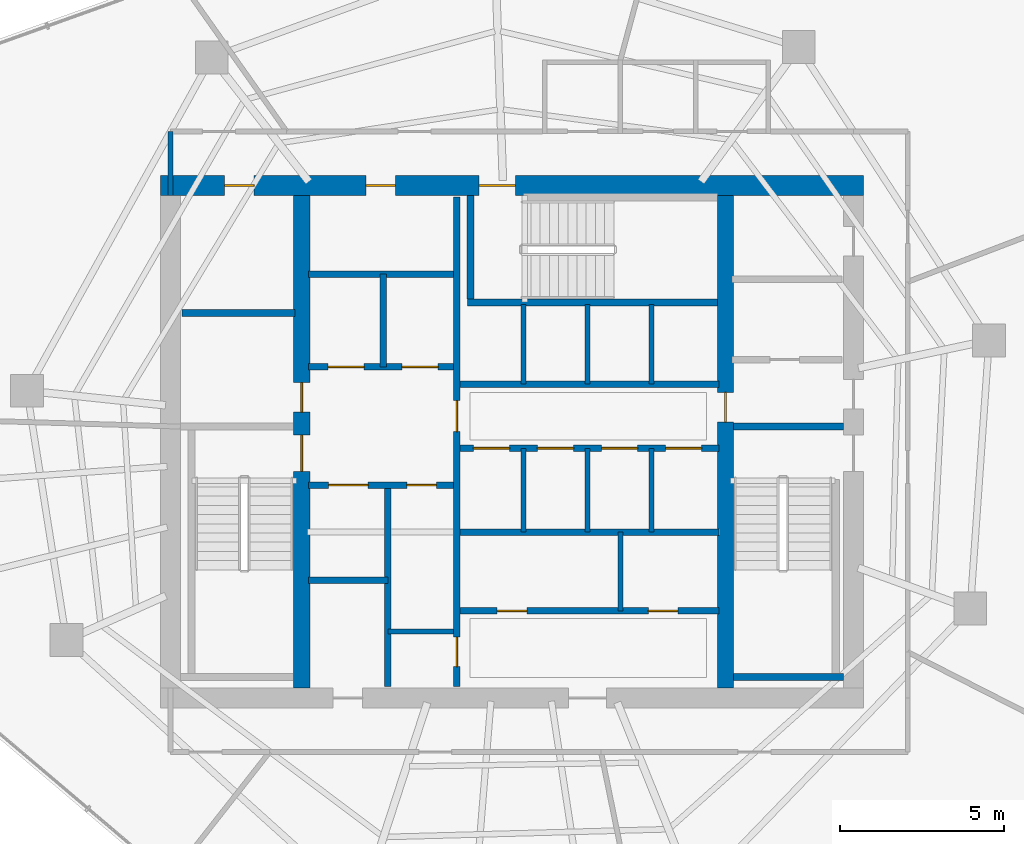
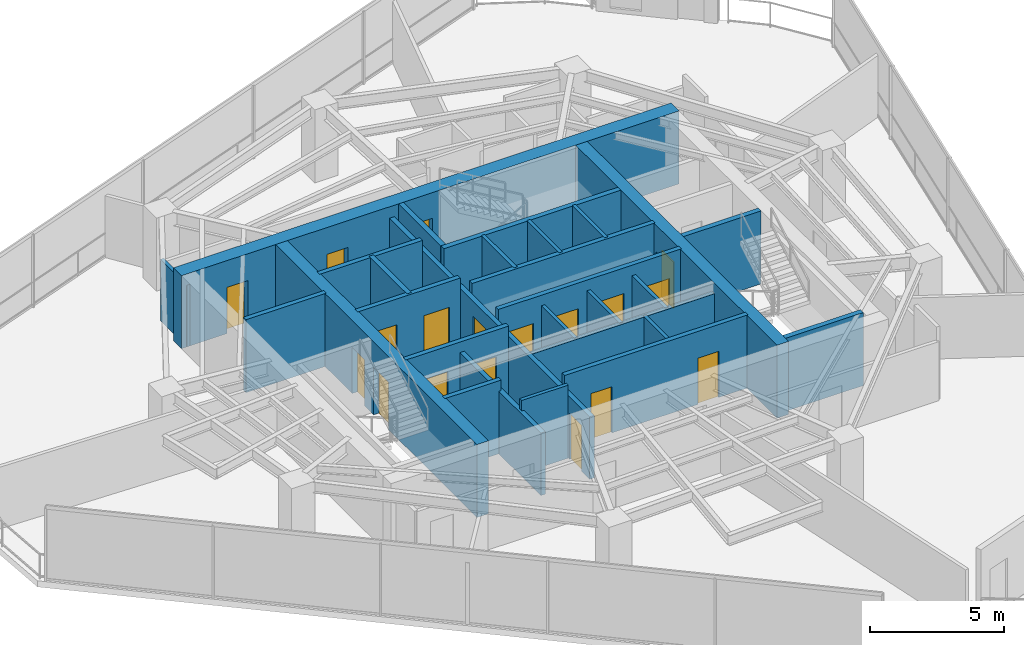
# One storey, part 17 of 21: 28 walls, 18 doors, 18 openings.
"""IFC4 building model written with IfcOpenShell, lengths in metres."""

from ifc_helpers import new_model, si_unit, direction, frame, frame_2d, origin, place, context, subcontext, project, spatial, rectangle, extrude, material, layer, layer_set, type_object, element, fill, save


model = new_model("IFC4")

# Units and contexts
model_context = context("Model", 3, precision=1e-05, world=origin(), true_north=direction((0.0, 1.0)))
body_context = subcontext(model_context, "Body", "Model", "MODEL_VIEW")
ifc_project = project(units=[si_unit("LENGTHUNIT", "METRE"), si_unit("AREAUNIT", "SQUARE_METRE"), si_unit("VOLUMEUNIT", "CUBIC_METRE"), si_unit("PLANEANGLEUNIT", "RADIAN"), si_unit("MASSUNIT", "GRAM", prefix="KILO")], contexts=[model_context])

# Site, building, storey
site_placement = place(None, origin())
site = spatial("IfcSite", under=ifc_project, at=site_placement, CompositionType="ELEMENT")
building_placement = place(site_placement, origin())
building = spatial("IfcBuilding", under=site, at=building_placement, Name="Qarnah Convention Tower", CompositionType="ELEMENT")
storey_placement = place(building_placement, frame((0.0, 0.0, 140.10009765625)))
storey = spatial("IfcBuildingStorey", under=building, at=storey_placement, Name="L37", CompositionType="ELEMENT", Elevation=140.10009765625)

# Wall, openings, doors
ifc_material_1 = material(Name="Concrete C60/75", Category="concrete")
ifc_layer_1 = layer(ifc_material_1, 0.60009765625)
ifc_layer_set_1 = layer_set([ifc_layer_1], Name="Concrete C60/75")
wall_type_1 = type_object("IfcWallType", Name="WL-CORE-600", PredefinedType="SHEAR", material=ifc_layer_set_1)
wall_1_placement = place(storey_placement, frame((26.5, 34.199951171875, 0.0), z_axis=(0.0, 0.0, 1.0), x_axis=(1.0, 0.0, 0.0)))
wall_1 = element("IfcWall", 1, at=wall_1_placement, inside=storey, type_object=wall_type_1, Name="L37 core north shear wall", PredefinedType="SHEAR", context=body_context, shape_type="SweptSolid", body=[
    extrude(rectangle(XDim=21.39990234375, YDim=0.60009765625, at=frame_2d((10.699951171875, 0.0))), origin(), (0.0, 0.0, 1.0), 3.31982421875),
])
opening_1_placement = place(wall_1_placement, frame((9.699951171875, 0.0, 0.0)))
opening_1 = element("IfcOpeningElement", 2, at=opening_1_placement, cuts=wall_1, Name="Opening D-3703", PredefinedType="OPENING", context=body_context, shape_type="SweptSolid", body=[
    extrude(rectangle(XDim=1.10009765625, YDim=2.14990234375, at=frame_2d((0.550048828125, 1.074951171875))), frame((0.0, 0.31005859375, 0.0), z_axis=(0.0, -1.0, 0.0), x_axis=(1.0, 0.0, 0.0)), (0.0, 0.0, 1.0), 0.6201171875),
])
opening_2_placement = place(wall_1_placement, frame((1.949951171875, 0.0, 0.0)))
opening_2 = element("IfcOpeningElement", 3, at=opening_2_placement, cuts=wall_1, Name="Opening D-3709", PredefinedType="OPENING", context=body_context, shape_type="SweptSolid", body=[
    extrude(rectangle(XDim=0.89990234375, YDim=2.10009765625, at=frame_2d((0.449951171875, 1.050048828125))), frame((0.0, 0.31005859375, 0.0), z_axis=(0.0, -1.0, 0.0), x_axis=(1.0, 0.0, 0.0)), (0.0, 0.0, 1.0), 0.6201171875),
])
opening_3_placement = place(wall_1_placement, frame((6.25, 0.0, 0.0)))
opening_3 = element("IfcOpeningElement", 4, at=opening_3_placement, cuts=wall_1, Name="Opening D-3710", PredefinedType="OPENING", context=body_context, shape_type="SweptSolid", body=[
    extrude(rectangle(XDim=0.89990234375, YDim=2.10009765625, at=frame_2d((0.449951171875, 1.050048828125))), frame((0.0, 0.31005859375, 0.0), z_axis=(0.0, -1.0, 0.0), x_axis=(1.0, 0.0, 0.0)), (0.0, 0.0, 1.0), 0.6201171875),
])
ifc_material_2 = material(Name="Structural steel S355JR", Category="steel")
door_type_1 = type_object("IfcDoorType", Name="DT-RISER-900", OperationType="NOTDEFINED", PredefinedType="DOOR", material=ifc_material_2)
door_1_placement = place(opening_2_placement, origin())
door_1 = element("IfcDoor", 5, at=door_1_placement, inside=storey, type_object=door_type_1, Name="Door D-3709", OperationType="SINGLE_SWING_LEFT", OverallHeight=2.10009765625, OverallWidth=0.89990234375, PredefinedType="DOOR", context=body_context, shape_type="SweptSolid", body=[
    extrude(rectangle(XDim=0.89990234375, YDim=2.10009765625, at=frame_2d((0.449951171875, 1.050048828125))), frame((0.0, 0.02490234375, 0.0), z_axis=(0.0, -1.0, 0.0), x_axis=(1.0, 0.0, 0.0)), (0.0, 0.0, 1.0), 0.050048828125),
])
fill(opening_2, door_1)
door_2_placement = place(opening_3_placement, origin())
door_2 = element("IfcDoor", 6, at=door_2_placement, inside=storey, type_object=door_type_1, Name="Door D-3710", OperationType="SINGLE_SWING_RIGHT", OverallHeight=2.10009765625, OverallWidth=0.89990234375, PredefinedType="DOOR", context=body_context, shape_type="SweptSolid", body=[
    extrude(rectangle(XDim=0.89990234375, YDim=2.10009765625, at=frame_2d((0.449951171875, 1.050048828125))), frame((0.0, 0.02490234375, 0.0), z_axis=(0.0, -1.0, 0.0), x_axis=(1.0, 0.0, 0.0)), (0.0, 0.0, 1.0), 0.050048828125),
])
fill(opening_3, door_2)
door_type_2 = type_object("IfcDoorType", Name="DT-STAIR-1100", OperationType="NOTDEFINED", PredefinedType="DOOR", material=ifc_material_2)
door_3_placement = place(opening_1_placement, origin())
door_3 = element("IfcDoor", 7, at=door_3_placement, inside=storey, type_object=door_type_2, Name="Door D-3703", OperationType="SINGLE_SWING_LEFT", OverallHeight=2.14990234375, OverallWidth=1.10009765625, PredefinedType="DOOR", context=body_context, shape_type="SweptSolid", body=[
    extrude(rectangle(XDim=1.10009765625, YDim=2.14990234375, at=frame_2d((0.550048828125, 1.074951171875))), frame((0.0, 0.02490234375, 0.0), z_axis=(0.0, -1.0, 0.0), x_axis=(1.0, 0.0, 0.0)), (0.0, 0.0, 1.0), 0.050048828125),
])
fill(opening_1, door_3)

ifc_layer_2 = layer(ifc_material_1, 0.5)
ifc_layer_set_2 = layer_set([ifc_layer_2], Name="Concrete C60/75")
wall_type_2 = type_object("IfcWallType", Name="WL-CORE-INT-400", PredefinedType="SHEAR", material=ifc_layer_set_2)
wall_2_placement = place(storey_placement, frame((30.800048828125, 18.89990234375, 0.0), z_axis=(0.0, 0.0, 1.0), x_axis=(0.0, 1.0, 0.0)))
wall_2 = element("IfcWall", 8, at=wall_2_placement, inside=storey, type_object=wall_type_2, Name="L37 core west spine shear wall", PredefinedType="SHEAR", context=body_context, shape_type="SweptSolid", body=[
    extrude(rectangle(XDim=15.0, YDim=0.5, at=frame_2d((7.5, 0.0))), origin(), (0.0, 0.0, 1.0), 3.31982421875),
])
opening_4_placement = place(wall_2_placement, frame((6.60009765625, 0.0, 0.0)))
opening_4 = element("IfcOpeningElement", 9, at=opening_4_placement, cuts=wall_2, Name="Opening D-3701", PredefinedType="OPENING", context=body_context, shape_type="SweptSolid", body=[
    extrude(rectangle(XDim=1.10009765625, YDim=2.14990234375, at=frame_2d((0.550048828125, 1.074951171875))), frame((0.0, 0.260009765625, 0.0), z_axis=(0.0, -1.0, 0.0), x_axis=(1.0, 0.0, 0.0)), (0.0, 0.0, 1.0), 0.52001953125),
])
opening_5_placement = place(wall_2_placement, frame((8.39990234375, 0.0, 0.0)))
opening_5 = element("IfcOpeningElement", 10, at=opening_5_placement, cuts=wall_2, Name="Opening D-3708", PredefinedType="OPENING", context=body_context, shape_type="SweptSolid", body=[
    extrude(rectangle(XDim=0.89990234375, YDim=2.10009765625, at=frame_2d((0.449951171875, 1.050048828125))), frame((0.0, 0.260009765625, 0.0), z_axis=(0.0, -1.0, 0.0), x_axis=(1.0, 0.0, 0.0)), (0.0, 0.0, 1.0), 0.52001953125),
])
door_4_placement = place(opening_5_placement, origin())
door_4 = element("IfcDoor", 11, at=door_4_placement, inside=storey, type_object=door_type_1, Name="Door D-3708", OperationType="SINGLE_SWING_RIGHT", OverallHeight=2.10009765625, OverallWidth=0.89990234375, PredefinedType="DOOR", context=body_context, shape_type="SweptSolid", body=[
    extrude(rectangle(XDim=0.89990234375, YDim=2.10009765625, at=frame_2d((0.449951171875, 1.050048828125))), frame((0.0, 0.02490234375, 0.0), z_axis=(0.0, -1.0, 0.0), x_axis=(1.0, 0.0, 0.0)), (0.0, 0.0, 1.0), 0.050048828125),
])
fill(opening_5, door_4)
door_5_placement = place(opening_4_placement, origin())
door_5 = element("IfcDoor", 12, at=door_5_placement, inside=storey, type_object=door_type_2, Name="Door D-3701", OperationType="SINGLE_SWING_LEFT", OverallHeight=2.14990234375, OverallWidth=1.10009765625, PredefinedType="DOOR", context=body_context, shape_type="SweptSolid", body=[
    extrude(rectangle(XDim=1.10009765625, YDim=2.14990234375, at=frame_2d((0.550048828125, 1.074951171875))), frame((0.0, 0.02490234375, 0.0), z_axis=(0.0, -1.0, 0.0), x_axis=(1.0, 0.0, 0.0)), (0.0, 0.0, 1.0), 0.050048828125),
])
fill(opening_4, door_5)

# Wall, opening, door
wall_3_placement = place(storey_placement, frame((43.699951171875, 18.89990234375, 0.0), z_axis=(0.0, 0.0, 1.0), x_axis=(0.0, 1.0, 0.0)))
wall_3 = element("IfcWall", 13, at=wall_3_placement, inside=storey, type_object=wall_type_2, Name="L37 core east spine shear wall", PredefinedType="SHEAR", context=body_context, shape_type="SweptSolid", body=[
    extrude(rectangle(XDim=15.0, YDim=0.5, at=frame_2d((7.5, 0.0))), origin(), (0.0, 0.0, 1.0), 3.31982421875),
])
opening_6_placement = place(wall_3_placement, frame((8.10009765625, 0.0, 0.0)))
opening_6 = element("IfcOpeningElement", 14, at=opening_6_placement, cuts=wall_3, Name="Opening D-3705", PredefinedType="OPENING", context=body_context, shape_type="SweptSolid", body=[
    extrude(rectangle(XDim=0.89990234375, YDim=2.10009765625, at=frame_2d((0.449951171875, 1.050048828125))), frame((0.0, 0.260009765625, 0.0), z_axis=(0.0, -1.0, 0.0), x_axis=(1.0, 0.0, 0.0)), (0.0, 0.0, 1.0), 0.52001953125),
])
door_6_placement = place(opening_6_placement, origin())
door_6 = element("IfcDoor", 15, at=door_6_placement, inside=storey, type_object=door_type_1, Name="Door D-3705", OperationType="SINGLE_SWING_LEFT", OverallHeight=2.10009765625, OverallWidth=0.89990234375, PredefinedType="DOOR", context=body_context, shape_type="SweptSolid", body=[
    extrude(rectangle(XDim=0.89990234375, YDim=2.10009765625, at=frame_2d((0.449951171875, 1.050048828125))), frame((0.0, 0.02490234375, 0.0), z_axis=(0.0, -1.0, 0.0), x_axis=(1.0, 0.0, 0.0)), (0.0, 0.0, 1.0), 0.050048828125),
])
fill(opening_6, door_6)

# Wall
ifc_material_3 = material(Name="Concrete C45/55", Category="concrete")
ifc_layer_3 = layer(ifc_material_3, 0.199951171875)
ifc_layer_set_3 = layer_set([ifc_layer_3], Name="Concrete C45/55")
wall_type_3 = type_object("IfcWallType", Name="WL-CORE-PART-200", PredefinedType="SOLIDWALL", material=ifc_layer_set_3)
wall_4_placement = place(storey_placement, frame((27.14990234375, 30.320068359375, 0.0), z_axis=(0.0, 0.0, 1.0), x_axis=(1.0, 0.0, 0.0)))
element("IfcWall", 16, at=wall_4_placement, inside=storey, type_object=wall_type_3, Name="L37 interior wall IW-L37-ELRN", PredefinedType="SOLIDWALL", context=body_context, shape_type="SweptSolid", body=[
    extrude(rectangle(XDim=3.4501953125, YDim=0.199951171875, at=frame_2d((1.72509765625, 0.0))), origin(), (0.0, 0.0, 1.0), 3.31982421875),
])

# Wall, openings, doors
wall_5_placement = place(storey_placement, frame((35.52001953125, 18.949951171875, 0.0), z_axis=(0.0, 0.0, 1.0), x_axis=(0.0, 1.0, 0.0)))
wall_5 = element("IfcWall", 17, at=wall_5_placement, inside=storey, type_object=wall_type_3, Name="L37 interior wall IW-L37-CSP", PredefinedType="SOLIDWALL", context=body_context, shape_type="SweptSolid", body=[
    extrude(rectangle(XDim=14.900146484375, YDim=0.199951171875, at=frame_2d((7.4501953125, 0.0))), origin(), (0.0, 0.0, 1.0), 2.8408203125),
])
opening_7_placement = place(wall_5_placement, frame((7.7548828125, 0.0, 0.0)))
opening_7 = element("IfcOpeningElement", 18, at=opening_7_placement, cuts=wall_5, Name="Opening D-3704", PredefinedType="OPENING", context=body_context, shape_type="SweptSolid", body=[
    extrude(rectangle(XDim=0.949951171875, YDim=2.14990234375, at=frame_2d((0.47509765625, 1.074951171875))), frame((0.0, 0.10986328125, 0.0), z_axis=(0.0, -1.0, 0.0), x_axis=(1.0, 0.0, 0.0)), (0.0, 0.0, 1.0), 0.219970703125),
])
opening_8_placement = place(wall_5_placement, frame((0.60009765625, 0.0, 0.0)))
opening_8 = element("IfcOpeningElement", 19, at=opening_8_placement, cuts=wall_5, Name="Opening D-3714", PredefinedType="OPENING", context=body_context, shape_type="SweptSolid", body=[
    extrude(rectangle(XDim=0.89990234375, YDim=2.10009765625, at=frame_2d((0.449951171875, 1.050048828125))), frame((0.0, 0.10986328125, 0.0), z_axis=(0.0, -1.0, 0.0), x_axis=(1.0, 0.0, 0.0)), (0.0, 0.0, 1.0), 0.219970703125),
])
ifc_material_4 = material(Name="Oak timber veneer", Category="wood")
door_type_3 = type_object("IfcDoorType", Name="DT-HOTEL-950", OperationType="NOTDEFINED", PredefinedType="DOOR", material=ifc_material_4)
door_7_placement = place(opening_7_placement, origin())
door_7 = element("IfcDoor", 20, at=door_7_placement, inside=storey, type_object=door_type_3, Name="Door D-3704", OperationType="SINGLE_SWING_RIGHT", OverallHeight=2.14990234375, OverallWidth=0.949951171875, PredefinedType="DOOR", context=body_context, shape_type="SweptSolid", body=[
    extrude(rectangle(XDim=0.949951171875, YDim=2.14990234375, at=frame_2d((0.47509765625, 1.074951171875))), frame((0.0, 0.02490234375, 0.0), z_axis=(0.0, -1.0, 0.0), x_axis=(1.0, 0.0, 0.0)), (0.0, 0.0, 1.0), 0.050048828125),
])
fill(opening_7, door_7)
door_8_placement = place(opening_8_placement, origin())
door_8 = element("IfcDoor", 21, at=door_8_placement, inside=storey, type_object=door_type_1, Name="Door D-3714", OperationType="SINGLE_SWING_RIGHT", OverallHeight=2.10009765625, OverallWidth=0.89990234375, PredefinedType="DOOR", context=body_context, shape_type="SweptSolid", body=[
    extrude(rectangle(XDim=0.89990234375, YDim=2.10009765625, at=frame_2d((0.449951171875, 1.050048828125))), frame((0.0, 0.02490234375, 0.0), z_axis=(0.0, -1.0, 0.0), x_axis=(1.0, 0.0, 0.0)), (0.0, 0.0, 1.0), 0.050048828125),
])
fill(opening_8, door_8)

wall_6_placement = place(storey_placement, frame((31.0, 28.679931640625, 0.0), z_axis=(0.0, 0.0, 1.0), x_axis=(1.0, 0.0, 0.0)))
wall_6 = element("IfcWall", 22, at=wall_6_placement, inside=storey, type_object=wall_type_3, Name="L37 interior wall IW-L37-FFLS", PredefinedType="SOLIDWALL", context=body_context, shape_type="SweptSolid", body=[
    extrude(rectangle(XDim=4.419921875, YDim=0.199951171875, at=frame_2d((2.2099609375, 0.0))), origin(), (0.0, 0.0, 1.0), 3.31982421875),
])
opening_9_placement = place(wall_6_placement, frame((0.60009765625, 0.0, 0.0)))
opening_9 = element("IfcOpeningElement", 23, at=opening_9_placement, cuts=wall_6, Name="Opening LD-3701", PredefinedType="OPENING", context=body_context, shape_type="SweptSolid", body=[
    extrude(rectangle(XDim=1.10009765625, YDim=2.14990234375, at=frame_2d((0.550048828125, 1.074951171875))), frame((0.0, 0.10986328125, 0.0), z_axis=(0.0, -1.0, 0.0), x_axis=(1.0, 0.0, 0.0)), (0.0, 0.0, 1.0), 0.219970703125),
])
opening_10_placement = place(wall_6_placement, frame((2.85009765625, 0.0, 0.0)))
opening_10 = element("IfcOpeningElement", 24, at=opening_10_placement, cuts=wall_6, Name="Opening LD-3702", PredefinedType="OPENING", context=body_context, shape_type="SweptSolid", body=[
    extrude(rectangle(XDim=1.10009765625, YDim=2.14990234375, at=frame_2d((0.550048828125, 1.074951171875))), frame((0.0, 0.10986328125, 0.0), z_axis=(0.0, -1.0, 0.0), x_axis=(1.0, 0.0, 0.0)), (0.0, 0.0, 1.0), 0.219970703125),
])
door_type_4 = type_object("IfcDoorType", Name="DT-LIFT-1100", OperationType="SLIDING_TO_LEFT", PredefinedType="DOOR", material=ifc_material_2)
door_9_placement = place(opening_9_placement, origin())
door_9 = element("IfcDoor", 25, at=door_9_placement, inside=storey, type_object=door_type_4, Name="Door LD-3701", OperationType="SLIDING_TO_LEFT", OverallHeight=2.14990234375, OverallWidth=1.10009765625, PredefinedType="DOOR", context=body_context, shape_type="SweptSolid", body=[
    extrude(rectangle(XDim=1.10009765625, YDim=2.14990234375, at=frame_2d((0.550048828125, 1.074951171875))), frame((0.0, 0.02490234375, 0.0), z_axis=(0.0, -1.0, 0.0), x_axis=(1.0, 0.0, 0.0)), (0.0, 0.0, 1.0), 0.050048828125),
])
fill(opening_9, door_9)
door_10_placement = place(opening_10_placement, origin())
door_10 = element("IfcDoor", 26, at=door_10_placement, inside=storey, type_object=door_type_4, Name="Door LD-3702", OperationType="SLIDING_TO_LEFT", OverallHeight=2.14990234375, OverallWidth=1.10009765625, PredefinedType="DOOR", context=body_context, shape_type="SweptSolid", body=[
    extrude(rectangle(XDim=1.10009765625, YDim=2.14990234375, at=frame_2d((0.550048828125, 1.074951171875))), frame((0.0, 0.02490234375, 0.0), z_axis=(0.0, -1.0, 0.0), x_axis=(1.0, 0.0, 0.0)), (0.0, 0.0, 1.0), 0.050048828125),
])
fill(opening_10, door_10)

# Walls
wall_7_placement = place(storey_placement, frame((31.0, 31.5, 0.0), z_axis=(0.0, 0.0, 1.0), x_axis=(1.0, 0.0, 0.0)))
element("IfcWall", 27, at=wall_7_placement, inside=storey, type_object=wall_type_3, Name="L37 interior wall IW-L37-FFLN", PredefinedType="SOLIDWALL", context=body_context, shape_type="SweptSolid", body=[
    extrude(rectangle(XDim=4.419921875, YDim=0.199951171875, at=frame_2d((2.2099609375, 0.0))), origin(), (0.0, 0.0, 1.0), 3.31982421875),
])
wall_8_placement = place(storey_placement, frame((33.280029296875, 28.679931640625, 0.0), z_axis=(0.0, 0.0, 1.0), x_axis=(0.0, 1.0, 0.0)))
element("IfcWall", 28, at=wall_8_placement, inside=storey, type_object=wall_type_3, Name="L37 interior wall IW-L37-FFLM", PredefinedType="SOLIDWALL", context=body_context, shape_type="SweptSolid", body=[
    extrude(rectangle(XDim=2.820068359375, YDim=0.199951171875, at=frame_2d((1.41015625, 0.0))), origin(), (0.0, 0.0, 1.0), 3.31982421875),
])

# Wall, openings, doors
wall_9_placement = place(storey_placement, frame((31.0, 25.080078125, 0.0), z_axis=(0.0, 0.0, 1.0), x_axis=(1.0, 0.0, 0.0)))
wall_9 = element("IfcWall", 29, at=wall_9_placement, inside=storey, type_object=wall_type_3, Name="L37 interior wall IW-L37-FFLBS", PredefinedType="SOLIDWALL", context=body_context, shape_type="SweptSolid", body=[
    extrude(rectangle(XDim=4.419921875, YDim=0.199951171875, at=frame_2d((2.2099609375, 0.0))), origin(), (0.0, 0.0, 1.0), 3.31982421875),
])
opening_11_placement = place(wall_9_placement, frame((3.0, 0.0, 0.0)))
opening_11 = element("IfcOpeningElement", 30, at=opening_11_placement, cuts=wall_9, Name="Opening D-3715", PredefinedType="OPENING", context=body_context, shape_type="SweptSolid", body=[
    extrude(rectangle(XDim=0.89990234375, YDim=2.10009765625, at=frame_2d((0.449951171875, 1.050048828125))), frame((0.0, 0.10986328125, 0.0), z_axis=(0.0, -1.0, 0.0), x_axis=(1.0, 0.0, 0.0)), (0.0, 0.0, 1.0), 0.219970703125),
])
opening_12_placement = place(wall_9_placement, frame((0.6201171875, 0.0, 0.0)))
opening_12 = element("IfcOpeningElement", 31, at=opening_12_placement, cuts=wall_9, Name="Opening LD-3703", PredefinedType="OPENING", context=body_context, shape_type="SweptSolid", body=[
    extrude(rectangle(XDim=1.199951171875, YDim=2.14990234375, at=frame_2d((0.60009765625, 1.074951171875))), frame((0.0, 0.10986328125, 0.0), z_axis=(0.0, -1.0, 0.0), x_axis=(1.0, 0.0, 0.0)), (0.0, 0.0, 1.0), 0.219970703125),
])
door_type_5 = type_object("IfcDoorType", Name="DT-LIFT-1200", OperationType="SLIDING_TO_LEFT", PredefinedType="DOOR", material=ifc_material_2)
door_11_placement = place(opening_12_placement, origin())
door_11 = element("IfcDoor", 32, at=door_11_placement, inside=storey, type_object=door_type_5, Name="Door LD-3703", OperationType="SLIDING_TO_LEFT", OverallHeight=2.14990234375, OverallWidth=1.199951171875, PredefinedType="DOOR", context=body_context, shape_type="SweptSolid", body=[
    extrude(rectangle(XDim=1.199951171875, YDim=2.14990234375, at=frame_2d((0.60009765625, 1.074951171875))), frame((0.0, 0.02490234375, 0.0), z_axis=(0.0, -1.0, 0.0), x_axis=(1.0, 0.0, 0.0)), (0.0, 0.0, 1.0), 0.050048828125),
])
fill(opening_12, door_11)
door_12_placement = place(opening_11_placement, origin())
door_12 = element("IfcDoor", 33, at=door_12_placement, inside=storey, type_object=door_type_1, Name="Door D-3715", OperationType="SINGLE_SWING_LEFT", OverallHeight=2.10009765625, OverallWidth=0.89990234375, PredefinedType="DOOR", context=body_context, shape_type="SweptSolid", body=[
    extrude(rectangle(XDim=0.89990234375, YDim=2.10009765625, at=frame_2d((0.449951171875, 1.050048828125))), frame((0.0, 0.02490234375, 0.0), z_axis=(0.0, -1.0, 0.0), x_axis=(1.0, 0.0, 0.0)), (0.0, 0.0, 1.0), 0.050048828125),
])
fill(opening_11, door_12)

# Walls
wall_10_placement = place(storey_placement, frame((33.419921875, 18.949951171875, 0.0), z_axis=(0.0, 0.0, 1.0), x_axis=(0.0, 1.0, 0.0)))
element("IfcWall", 34, at=wall_10_placement, inside=storey, type_object=wall_type_3, Name="L37 interior wall IW-L37-SVLE", PredefinedType="SOLIDWALL", context=body_context, shape_type="SweptSolid", body=[
    extrude(rectangle(XDim=6.130126953125, YDim=0.199951171875, at=frame_2d((3.06494140625, 0.0))), origin(), (0.0, 0.0, 1.0), 2.8408203125),
])
wall_11_placement = place(storey_placement, frame((31.0, 22.179931640625, 0.0), z_axis=(0.0, 0.0, 1.0), x_axis=(1.0, 0.0, 0.0)))
element("IfcWall", 35, at=wall_11_placement, inside=storey, type_object=wall_type_3, Name="L37 interior wall IW-L37-SVLS", PredefinedType="SOLIDWALL", context=body_context, shape_type="SweptSolid", body=[
    extrude(rectangle(XDim=2.419921875, YDim=0.199951171875, at=frame_2d((1.2099609375, 0.0))), origin(), (0.0, 0.0, 1.0), 3.31982421875),
])
wall_12_placement = place(storey_placement, frame((35.6201171875, 28.14990234375, 0.0), z_axis=(0.0, 0.0, 1.0), x_axis=(1.0, 0.0, 0.0)))
element("IfcWall", 36, at=wall_12_placement, inside=storey, type_object=wall_type_3, Name="L37 interior wall IW-L37-PHS", PredefinedType="SOLIDWALL", context=body_context, shape_type="SweptSolid", body=[
    extrude(rectangle(XDim=7.8798828125, YDim=0.199951171875, at=frame_2d((3.93994140625, 0.0))), origin(), (0.0, 0.0, 1.0), 3.31982421875),
])

# Wall, openings, doors
wall_13_placement = place(storey_placement, frame((35.6201171875, 26.199951171875, 0.0), z_axis=(0.0, 0.0, 1.0), x_axis=(1.0, 0.0, 0.0)))
wall_13 = element("IfcWall", 37, at=wall_13_placement, inside=storey, type_object=wall_type_3, Name="L37 interior wall IW-L37-PMN", PredefinedType="SOLIDWALL", context=body_context, shape_type="SweptSolid", body=[
    extrude(rectangle(XDim=7.8798828125, YDim=0.199951171875, at=frame_2d((3.93994140625, 0.0))), origin(), (0.0, 0.0, 1.0), 3.31982421875),
])
opening_13_placement = place(wall_13_placement, frame((0.405029296875, 0.0, 0.0)))
opening_13 = element("IfcOpeningElement", 38, at=opening_13_placement, cuts=wall_13, Name="Opening LD-3704", PredefinedType="OPENING", context=body_context, shape_type="SweptSolid", body=[
    extrude(rectangle(XDim=1.10009765625, YDim=2.14990234375, at=frame_2d((0.550048828125, 1.074951171875))), frame((0.0, 0.10986328125, 0.0), z_axis=(0.0, -1.0, 0.0), x_axis=(1.0, 0.0, 0.0)), (0.0, 0.0, 1.0), 0.219970703125),
])
opening_14_placement = place(wall_13_placement, frame((2.35498046875, 0.0, 0.0)))
opening_14 = element("IfcOpeningElement", 39, at=opening_14_placement, cuts=wall_13, Name="Opening LD-3705", PredefinedType="OPENING", context=body_context, shape_type="SweptSolid", body=[
    extrude(rectangle(XDim=1.10009765625, YDim=2.14990234375, at=frame_2d((0.550048828125, 1.074951171875))), frame((0.0, 0.10986328125, 0.0), z_axis=(0.0, -1.0, 0.0), x_axis=(1.0, 0.0, 0.0)), (0.0, 0.0, 1.0), 0.219970703125),
])
opening_15_placement = place(wall_13_placement, frame((4.304931640625, 0.0, 0.0)))
opening_15 = element("IfcOpeningElement", 40, at=opening_15_placement, cuts=wall_13, Name="Opening LD-3706", PredefinedType="OPENING", context=body_context, shape_type="SweptSolid", body=[
    extrude(rectangle(XDim=1.10009765625, YDim=2.14990234375, at=frame_2d((0.550048828125, 1.074951171875))), frame((0.0, 0.10986328125, 0.0), z_axis=(0.0, -1.0, 0.0), x_axis=(1.0, 0.0, 0.0)), (0.0, 0.0, 1.0), 0.219970703125),
])
opening_16_placement = place(wall_13_placement, frame((6.2548828125, 0.0, 0.0)))
opening_16 = element("IfcOpeningElement", 41, at=opening_16_placement, cuts=wall_13, Name="Opening LD-3707", PredefinedType="OPENING", context=body_context, shape_type="SweptSolid", body=[
    extrude(rectangle(XDim=1.10009765625, YDim=2.14990234375, at=frame_2d((0.550048828125, 1.074951171875))), frame((0.0, 0.10986328125, 0.0), z_axis=(0.0, -1.0, 0.0), x_axis=(1.0, 0.0, 0.0)), (0.0, 0.0, 1.0), 0.219970703125),
])
door_13_placement = place(opening_13_placement, origin())
door_13 = element("IfcDoor", 42, at=door_13_placement, inside=storey, type_object=door_type_4, Name="Door LD-3704", OperationType="SLIDING_TO_LEFT", OverallHeight=2.14990234375, OverallWidth=1.10009765625, PredefinedType="DOOR", context=body_context, shape_type="SweptSolid", body=[
    extrude(rectangle(XDim=1.10009765625, YDim=2.14990234375, at=frame_2d((0.550048828125, 1.074951171875))), frame((0.0, 0.02490234375, 0.0), z_axis=(0.0, -1.0, 0.0), x_axis=(1.0, 0.0, 0.0)), (0.0, 0.0, 1.0), 0.050048828125),
])
fill(opening_13, door_13)
door_14_placement = place(opening_14_placement, origin())
door_14 = element("IfcDoor", 43, at=door_14_placement, inside=storey, type_object=door_type_4, Name="Door LD-3705", OperationType="SLIDING_TO_LEFT", OverallHeight=2.14990234375, OverallWidth=1.10009765625, PredefinedType="DOOR", context=body_context, shape_type="SweptSolid", body=[
    extrude(rectangle(XDim=1.10009765625, YDim=2.14990234375, at=frame_2d((0.550048828125, 1.074951171875))), frame((0.0, 0.02490234375, 0.0), z_axis=(0.0, -1.0, 0.0), x_axis=(1.0, 0.0, 0.0)), (0.0, 0.0, 1.0), 0.050048828125),
])
fill(opening_14, door_14)
door_15_placement = place(opening_15_placement, origin())
door_15 = element("IfcDoor", 44, at=door_15_placement, inside=storey, type_object=door_type_4, Name="Door LD-3706", OperationType="SLIDING_TO_LEFT", OverallHeight=2.14990234375, OverallWidth=1.10009765625, PredefinedType="DOOR", context=body_context, shape_type="SweptSolid", body=[
    extrude(rectangle(XDim=1.10009765625, YDim=2.14990234375, at=frame_2d((0.550048828125, 1.074951171875))), frame((0.0, 0.02490234375, 0.0), z_axis=(0.0, -1.0, 0.0), x_axis=(1.0, 0.0, 0.0)), (0.0, 0.0, 1.0), 0.050048828125),
])
fill(opening_15, door_15)
door_16_placement = place(opening_16_placement, origin())
door_16 = element("IfcDoor", 45, at=door_16_placement, inside=storey, type_object=door_type_4, Name="Door LD-3707", OperationType="SLIDING_TO_LEFT", OverallHeight=2.14990234375, OverallWidth=1.10009765625, PredefinedType="DOOR", context=body_context, shape_type="SweptSolid", body=[
    extrude(rectangle(XDim=1.10009765625, YDim=2.14990234375, at=frame_2d((0.550048828125, 1.074951171875))), frame((0.0, 0.02490234375, 0.0), z_axis=(0.0, -1.0, 0.0), x_axis=(1.0, 0.0, 0.0)), (0.0, 0.0, 1.0), 0.050048828125),
])
fill(opening_16, door_16)

# Wall
wall_14_placement = place(storey_placement, frame((35.6201171875, 23.64990234375, 0.0), z_axis=(0.0, 0.0, 1.0), x_axis=(1.0, 0.0, 0.0)))
element("IfcWall", 46, at=wall_14_placement, inside=storey, type_object=wall_type_3, Name="L37 interior wall IW-L37-PMPL", PredefinedType="SOLIDWALL", context=body_context, shape_type="SweptSolid", body=[
    extrude(rectangle(XDim=7.8798828125, YDim=0.199951171875, at=frame_2d((3.93994140625, 0.0))), origin(), (0.0, 0.0, 1.0), 2.8408203125),
])

# Wall, openings, doors
wall_15_placement = place(storey_placement, frame((35.6201171875, 21.25, 0.0), z_axis=(0.0, 0.0, 1.0), x_axis=(1.0, 0.0, 0.0)))
wall_15 = element("IfcWall", 47, at=wall_15_placement, inside=storey, type_object=wall_type_3, Name="L37 interior wall IW-L37-PLS", PredefinedType="SOLIDWALL", context=body_context, shape_type="SweptSolid", body=[
    extrude(rectangle(XDim=7.8798828125, YDim=0.199951171875, at=frame_2d((3.93994140625, 0.0))), origin(), (0.0, 0.0, 1.0), 3.31982421875),
])
opening_17_placement = place(wall_15_placement, frame((1.1298828125, 0.0, 0.0)))
opening_17 = element("IfcOpeningElement", 48, at=opening_17_placement, cuts=wall_15, Name="Opening D-3716", PredefinedType="OPENING", context=body_context, shape_type="SweptSolid", body=[
    extrude(rectangle(XDim=0.89990234375, YDim=2.10009765625, at=frame_2d((0.449951171875, 1.050048828125))), frame((0.0, 0.10986328125, 0.0), z_axis=(0.0, -1.0, 0.0), x_axis=(1.0, 0.0, 0.0)), (0.0, 0.0, 1.0), 0.219970703125),
])
opening_18_placement = place(wall_15_placement, frame((5.72998046875, 0.0, 0.0)))
opening_18 = element("IfcOpeningElement", 49, at=opening_18_placement, cuts=wall_15, Name="Opening D-3717", PredefinedType="OPENING", context=body_context, shape_type="SweptSolid", body=[
    extrude(rectangle(XDim=0.89990234375, YDim=2.10009765625, at=frame_2d((0.449951171875, 1.050048828125))), frame((0.0, 0.10986328125, 0.0), z_axis=(0.0, -1.0, 0.0), x_axis=(1.0, 0.0, 0.0)), (0.0, 0.0, 1.0), 0.219970703125),
])
door_17_placement = place(opening_17_placement, origin())
door_17 = element("IfcDoor", 50, at=door_17_placement, inside=storey, type_object=door_type_1, Name="Door D-3716", OperationType="SINGLE_SWING_RIGHT", OverallHeight=2.10009765625, OverallWidth=0.89990234375, PredefinedType="DOOR", context=body_context, shape_type="SweptSolid", body=[
    extrude(rectangle(XDim=0.89990234375, YDim=2.10009765625, at=frame_2d((0.449951171875, 1.050048828125))), frame((0.0, 0.02490234375, 0.0), z_axis=(0.0, -1.0, 0.0), x_axis=(1.0, 0.0, 0.0)), (0.0, 0.0, 1.0), 0.050048828125),
])
fill(opening_17, door_17)
door_18_placement = place(opening_18_placement, origin())
door_18 = element("IfcDoor", 51, at=door_18_placement, inside=storey, type_object=door_type_1, Name="Door D-3717", OperationType="SINGLE_SWING_LEFT", OverallHeight=2.10009765625, OverallWidth=0.89990234375, PredefinedType="DOOR", context=body_context, shape_type="SweptSolid", body=[
    extrude(rectangle(XDim=0.89990234375, YDim=2.10009765625, at=frame_2d((0.449951171875, 1.050048828125))), frame((0.0, 0.02490234375, 0.0), z_axis=(0.0, -1.0, 0.0), x_axis=(1.0, 0.0, 0.0)), (0.0, 0.0, 1.0), 0.050048828125),
])
fill(opening_18, door_18)

# Walls
ifc_layer_4 = layer(ifc_material_1, 0.219970703125)
ifc_layer_set_4 = layer_set([ifc_layer_4], Name="Concrete C60/75")
wall_type_4 = type_object("IfcWallType", Name="WL-CORE-STAIR-220", PredefinedType="SHEAR", material=ifc_layer_set_4)
for number, where, z_axis, x_axis, name in (
    (52, (43.949951171875, 26.860107421875, 0.0), (0.0, 0.0, 1.0), (1.0, 0.0, 0.0), "L37 stair shaft shear wall SW-L37-ST2N"),
    (53, (43.949951171875, 19.239990234375, 0.0), (0.0, 0.0, 1.0), (1.0, 0.0, 0.0), "L37 stair shaft shear wall SW-L37-ST2S"),
):
    element("IfcWall", number, at=place(storey_placement, frame(where, z_axis=z_axis, x_axis=x_axis)), inside=storey, type_object=wall_type_4, Name=name, PredefinedType="SHEAR", context=body_context, shape_type="SweptSolid", body=[
        extrude(rectangle(XDim=3.35009765625, YDim=0.219970703125, at=frame_2d((1.675048828125, 0.0))), origin(), (0.0, 0.0, 1.0), 3.31982421875),
    ])
wall_16_placement = place(storey_placement, frame((35.840087890625, 30.639892578125, 0.0), z_axis=(0.0, 0.0, 1.0), x_axis=(1.0, 0.0, 0.0)))
element("IfcWall", 54, at=wall_16_placement, inside=storey, type_object=wall_type_4, Name="L37 stair shaft shear wall SW-L37-ST3S", PredefinedType="SHEAR", context=body_context, shape_type="SweptSolid", body=[
    extrude(rectangle(XDim=7.60986328125, YDim=0.219970703125, at=frame_2d((3.804931640625, 0.0))), origin(), (0.0, 0.0, 1.0), 3.31982421875),
])
wall_17_placement = place(storey_placement, frame((35.93994140625, 30.75, 0.0), z_axis=(0.0, 0.0, 1.0), x_axis=(0.0, 1.0, 0.0)))
element("IfcWall", 55, at=wall_17_placement, inside=storey, type_object=wall_type_4, Name="L37 stair shaft shear wall SW-L37-ST3W", PredefinedType="SHEAR", context=body_context, shape_type="SweptSolid", body=[
    extrude(rectangle(XDim=3.14990234375, YDim=0.219970703125, at=frame_2d((1.574951171875, 0.0))), origin(), (0.0, 0.0, 1.0), 3.31982421875),
])
ifc_material_5 = material(Name="Gypsum partition board")
ifc_layer_5 = layer(ifc_material_5, 0.14990234375)
ifc_layer_set_5 = layer_set([ifc_layer_5], Name="Gypsum partition board")
wall_type_5 = type_object("IfcWallType", Name="WL-SUITE-150", PredefinedType="PARTITIONING", material=ifc_layer_set_5)
wall_18_placement = place(storey_placement, frame((33.419921875, 20.6201171875, 0.0), z_axis=(0.0, 0.0, 1.0), x_axis=(1.0, 0.0, 0.0)))
element("IfcWall", 56, at=wall_18_placement, inside=storey, type_object=wall_type_5, Name="L37 interior wall IW-L37-CSV1", PredefinedType="PARTITIONING", context=body_context, shape_type="SweptSolid", body=[
    extrude(rectangle(XDim=2.0, YDim=0.14990234375, at=frame_2d((1.0, 0.0))), origin(), (0.0, 0.0, 1.0), 3.31982421875),
])
for number, where, z_axis, x_axis, name in (
    (57, (37.550048828125, 28.14990234375, 0.0), (0.0, 0.0, 1.0), (0.0, 1.0, 0.0), "L37 interior wall IW-L37-PHD1"),
    (58, (39.5, 28.14990234375, 0.0), (0.0, 0.0, 1.0), (0.0, 1.0, 0.0), "L37 interior wall IW-L37-PHD2"),
    (59, (41.449951171875, 28.14990234375, 0.0), (0.0, 0.0, 1.0), (0.0, 1.0, 0.0), "L37 interior wall IW-L37-PHD3"),
):
    element("IfcWall", number, at=place(storey_placement, frame(where, z_axis=z_axis, x_axis=x_axis)), inside=storey, type_object=wall_type_5, Name=name, PredefinedType="PARTITIONING", context=body_context, shape_type="SweptSolid", body=[
        extrude(rectangle(XDim=2.43017578125, YDim=0.14990234375, at=frame_2d((1.215087890625, 0.0))), origin(), (0.0, 0.0, 1.0), 3.31982421875),
    ])
for number, where, z_axis, x_axis, name in (
    (60, (37.550048828125, 23.64990234375, 0.0), (0.0, 0.0, 1.0), (0.0, 1.0, 0.0), "L37 interior wall IW-L37-PMD1"),
    (61, (39.5, 23.64990234375, 0.0), (0.0, 0.0, 1.0), (0.0, 1.0, 0.0), "L37 interior wall IW-L37-PMD2"),
    (62, (41.449951171875, 23.64990234375, 0.0), (0.0, 0.0, 1.0), (0.0, 1.0, 0.0), "L37 interior wall IW-L37-PMD3"),
):
    element("IfcWall", number, at=place(storey_placement, frame(where, z_axis=z_axis, x_axis=x_axis)), inside=storey, type_object=wall_type_5, Name=name, PredefinedType="PARTITIONING", context=body_context, shape_type="SweptSolid", body=[
        extrude(rectangle(XDim=2.550048828125, YDim=0.14990234375, at=frame_2d((1.27490234375, 0.0))), origin(), (0.0, 0.0, 1.0), 2.8408203125),
    ])
wall_19_placement = place(storey_placement, frame((40.5, 21.25, 0.0), z_axis=(0.0, 0.0, 1.0), x_axis=(0.0, 1.0, 0.0)))
element("IfcWall", 63, at=wall_19_placement, inside=storey, type_object=wall_type_5, Name="L37 interior wall IW-L37-PLFD", PredefinedType="PARTITIONING", context=body_context, shape_type="SweptSolid", body=[
    extrude(rectangle(XDim=2.39990234375, YDim=0.14990234375, at=frame_2d((1.199951171875, 0.0))), origin(), (0.0, 0.0, 1.0), 2.8408203125),
])
wall_20_placement = place(storey_placement, frame((26.800048828125, 33.89990234375, 0.0), z_axis=(0.0, 0.0, 1.0), x_axis=(0.0, 1.0, 0.0)))
element("IfcWall", 64, at=wall_20_placement, inside=storey, type_object=wall_type_5, Name="L37 interior wall IW-L37-R-20", PredefinedType="PARTITIONING", context=body_context, shape_type="SweptSolid", body=[
    extrude(rectangle(XDim=1.9501953125, YDim=0.14990234375, at=frame_2d((0.97509765625, 0.0))), origin(), (0.0, 0.0, 1.0), 2.804931640625),
])

save(model, "model.ifc")
